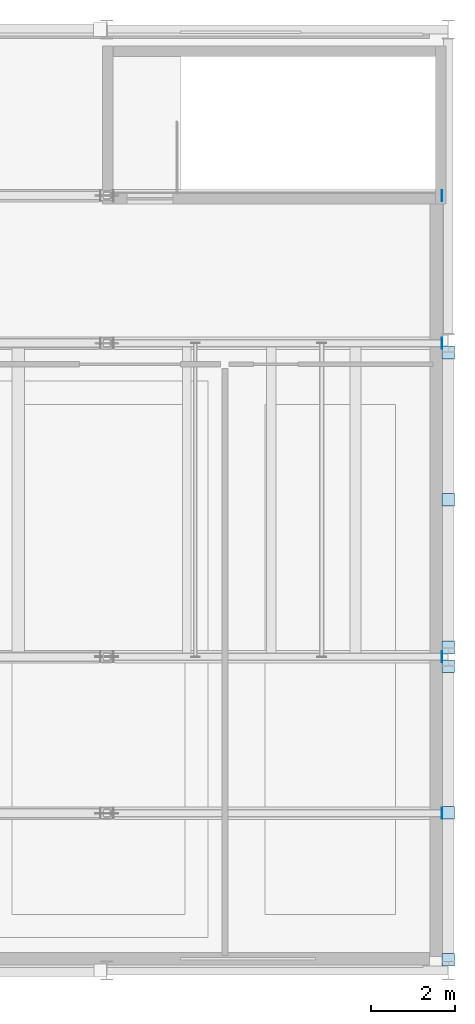
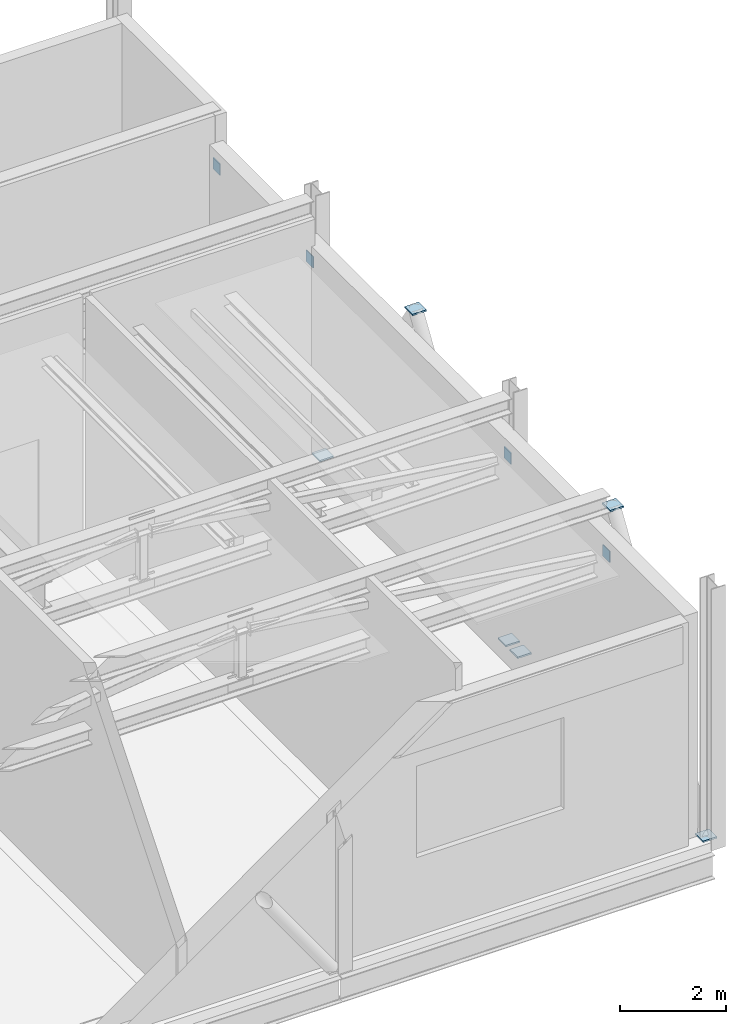
# One storey, part 18 of 21: 10 plates.
"""IFC4 building model written with IfcOpenShell, lengths in metres."""

from ifc_helpers import new_model, si_unit, direction, frame, origin, origin_2d, place, context, subcontext, project, spatial, rectangle, extrude, material, layer, layer_set, type_object, element, save


model = new_model("IFC4")

# Units and contexts
model_context = context("Model", 3, precision=1e-05, world=origin(), true_north=direction((0.0, 1.0)))
body_context = subcontext(model_context, "Body", "Model", "MODEL_VIEW")
ifc_project = project(units=[si_unit("LENGTHUNIT", "METRE"), si_unit("AREAUNIT", "SQUARE_METRE"), si_unit("VOLUMEUNIT", "CUBIC_METRE"), si_unit("PLANEANGLEUNIT", "RADIAN"), si_unit("MASSUNIT", "GRAM", prefix="KILO")], contexts=[model_context])

# Site, building, storey
site_placement = place(None, origin())
site = spatial("IfcSite", under=ifc_project, at=site_placement, CompositionType="ELEMENT")
building_placement = place(site_placement, origin())
building = spatial("IfcBuilding", under=site, at=building_placement, Name="Kaelora Sail Theatre", CompositionType="ELEMENT")
storey_placement = place(building_placement, frame((0.0, 0.0, 27.60009765625)))
storey = spatial("IfcBuildingStorey", under=building, at=storey_placement, Name="L06", CompositionType="ELEMENT", Elevation=27.60009765625)

# Plates
ifc_material_1 = material(Name="Steel S355", Category="steel")
ifc_layer_1 = layer(ifc_material_1, 0.02001953125)
ifc_layer_set_1 = layer_set([ifc_layer_1], Name="Steel S355")
plate_type_1 = type_object("IfcPlateType", Name="STR-PL-EP-20", PredefinedType="SHEET", material=ifc_layer_set_1)
for number, where, z_axis, x_axis, name in (
    (1, (58.048828125, 64.75, 4.298828125), (0.0, 0.0, 1.0), (1.0, 0.0, 0.0), "TDG-01 Fly Tower truss 1 web diagonal 4 end cap plate B"),
    (2, (58.048828125, 68.4599609375, 4.298828125), (0.0, 0.0, 1.0), (1.0, 0.0, 0.0), "TDG-01 Fly Tower truss 2 web diagonal 4 end cap plate B"),
    (3, (58.048828125, 75.89990234375, 4.298828125), (0.0, 0.0, 1.0), (1.0, 0.0, 0.0), "TDG-01 Fly Tower truss 3 web diagonal 4 end cap plate B"),
    (4, (58.048828125, 79.39990234375, 4.298828125), (0.0, 0.0, 1.0), (1.0, 0.0, 0.0), "TDG-01 Fly Tower truss 4 web diagonal 4 end cap plate B"),
):
    element("IfcPlate", number, at=place(storey_placement, frame(where, z_axis=z_axis, x_axis=x_axis)), inside=storey, type_object=plate_type_1, Name=name, PredefinedType="SHEET", context=body_context, shape_type="SweptSolid", body=[
        extrude(rectangle(XDim=0.02001953125, YDim=0.260009765625, at=origin_2d()), origin(), (0.0, 0.0, 1.0), 0.260009765625),
    ])
ifc_material_2 = material(Name="Steel S355", Category="steel")
ifc_layer_2 = layer(ifc_material_2, 0.035888671875)
ifc_layer_set_2 = layer_set([ifc_layer_2], Name="Steel S355")
plate_type_2 = type_object("IfcPlateType", Name="STR-PL-EP-36", PredefinedType="SHEET", material=ifc_layer_set_2)
for number, where, z_axis, x_axis, name in (
    (5, (58.199951171875, 61.271240234375, -0.01171875), (0.0, 0.0, 1.0), (1.0, 0.0, 0.0), "Fly Tower chevron brace L06 ES1 end cap plate A"),
    (6, (58.199951171875, 64.763671875, 5.46044921875), (0.0, 0.0, 1.0), (1.0, 0.0, 0.0), "Fly Tower chevron brace L06 ES1 end cap plate B"),
    (7, (58.199951171875, 68.23876953125, -0.01171875), (0.0, 0.0, 1.0), (1.0, 0.0, 0.0), "Fly Tower chevron brace L06 ES2 end cap plate A"),
    (8, (58.199951171875, 68.68115234375, -0.01171875), (0.0, 0.0, 1.0), (1.0, 0.0, 0.0), "Fly Tower chevron brace L06 EM1 end cap plate A"),
    (9, (58.199951171875, 72.188720703125, 5.46044921875), (0.0, 0.0, 1.0), (1.0, 0.0, 0.0), "Fly Tower chevron brace L06 EM1 end cap plate B"),
    (10, (58.199951171875, 75.6787109375, -0.01171875), (0.0, 0.0, 1.0), (1.0, 0.0, 0.0), "Fly Tower chevron brace L06 EM2 end cap plate A"),
):
    element("IfcPlate", number, at=place(storey_placement, frame(where, z_axis=z_axis, x_axis=x_axis)), inside=storey, type_object=plate_type_2, Name=name, PredefinedType="SHEET", context=body_context, shape_type="SweptSolid", body=[
        extrude(rectangle(XDim=0.300048828125, YDim=0.300048828125, at=origin_2d()), origin(), (0.0, 0.0, 1.0), 0.035888671875),
    ])

save(model, "model.ifc")
